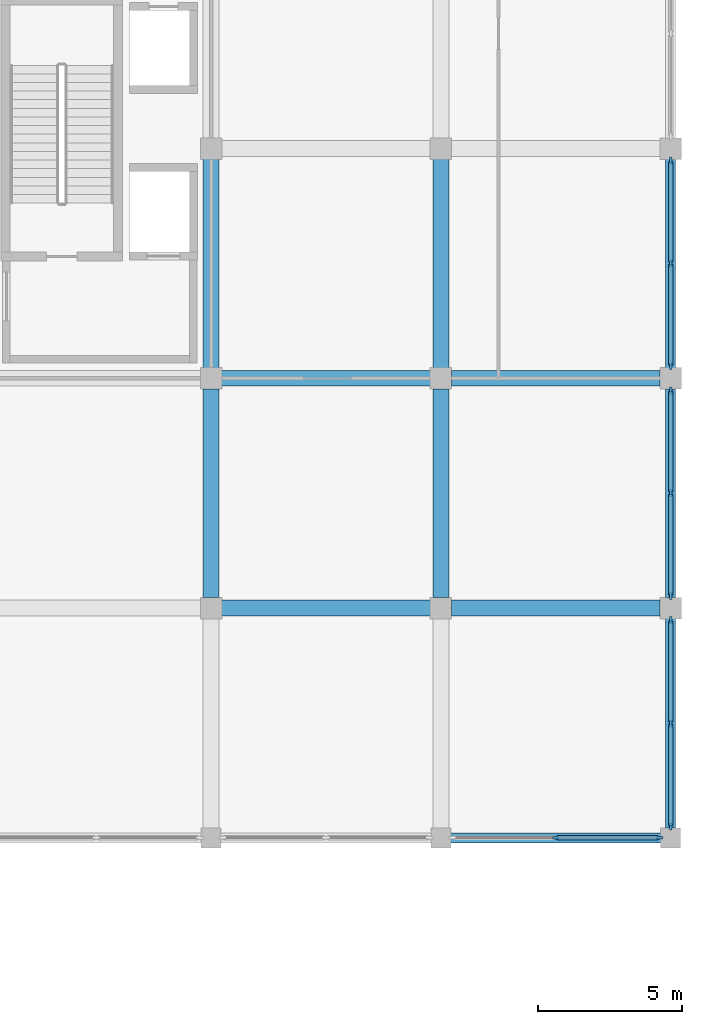
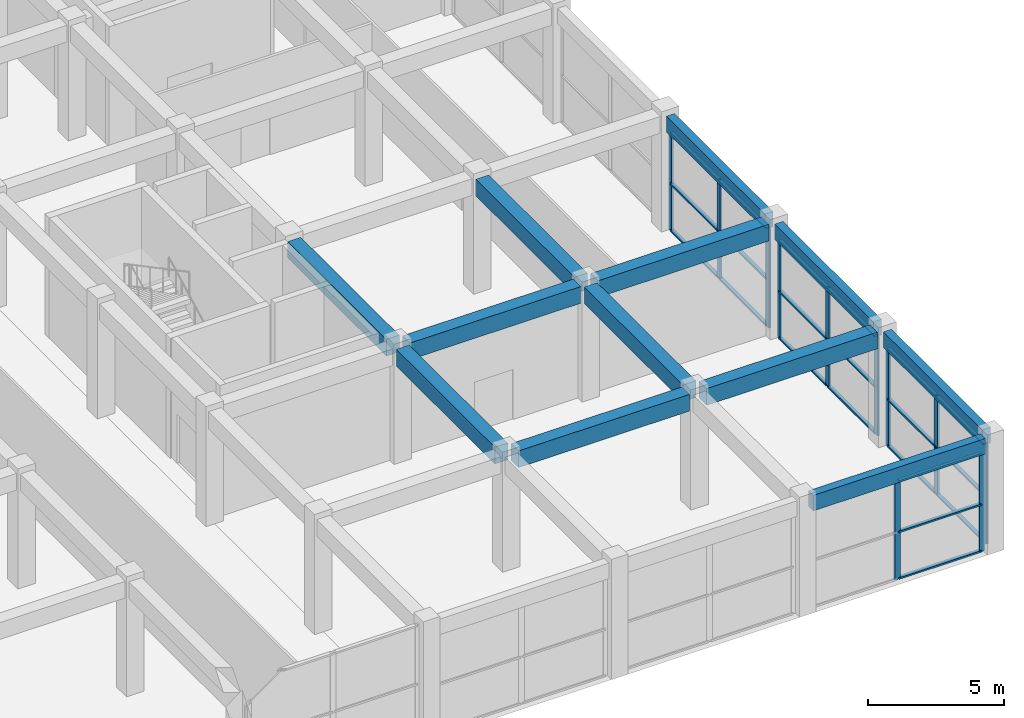
# One storey, part 34 of 69: 32 members, 12 beams, 4 elements without a shape of their own.
"""IFC4 building model written with IfcOpenShell, lengths in metres."""

from ifc_helpers import new_model, si_unit, direction, frame, origin, origin_2d, place, context, subcontext, project, spatial, rectangle, extrude, material, material_profile, profile_set, type_object, element, aggregate, save


model = new_model("IFC4")

# Units and contexts
model_context = context("Model", 3, precision=1e-05, world=origin(), true_north=direction((0.0, 1.0)))
body_context = subcontext(model_context, "Body", "Model", "MODEL_VIEW")
ifc_project = project(units=[si_unit("LENGTHUNIT", "METRE"), si_unit("AREAUNIT", "SQUARE_METRE"), si_unit("VOLUMEUNIT", "CUBIC_METRE"), si_unit("PLANEANGLEUNIT", "RADIAN"), si_unit("MASSUNIT", "GRAM", prefix="KILO")], contexts=[model_context])

# Site, building, storey
site_placement = place(None, origin())
site = spatial("IfcSite", under=ifc_project, at=site_placement, CompositionType="ELEMENT")
building_placement = place(site_placement, origin())
building = spatial("IfcBuilding", under=site, at=building_placement, Name="Kenh Van Central Station", CompositionType="ELEMENT")
storey_placement = place(building_placement, frame((0.0, 0.0, 5.39990234375)))
storey = spatial("IfcBuildingStorey", under=building, at=storey_placement, Name="L01", CompositionType="ELEMENT", Elevation=5.39990234375)

# Beams
ifc_material_1 = material(Name="Concrete C35/45", Category="concrete")
ifc_material_profile_1 = material_profile(ifc_material_1, rectangle(XDim=0.550048828125, YDim=0.75, at=origin_2d()), Name="RC 550x750")
ifc_profile_set_1 = profile_set([ifc_material_profile_1], Name="Concrete C35/45")
beam_type_1 = type_object("IfcBeamType", Name="BM-RC-550x750", PredefinedType="BEAM", material=ifc_profile_set_1)
for number, where, z_axis, x_axis, name in (
    (1, (160.364990234375, 16.0, 4.76513671875), (1.0, 0.0, 0.0), (0.0, 1.0, 0.0), "L01 beam 0654"),
    (2, (168.364990234375, 16.0, 4.76513671875), (1.0, 0.0, 0.0), (0.0, 1.0, 0.0), "L01 beam 0655"),
    (3, (160.364990234375, 24.0, 4.76513671875), (1.0, 0.0, 0.0), (0.0, 1.0, 0.0), "L01 beam 0669"),
    (4, (168.364990234375, 24.0, 4.76513671875), (1.0, 0.0, 0.0), (0.0, 1.0, 0.0), "L01 beam 0670"),
    (5, (160.0, 16.364990234375, 4.76513671875), (0.0, 1.0, 0.0), (-1.0, 0.0, 0.0), "L01 beam 0883"),
    (6, (160.0, 24.364990234375, 4.76513671875), (0.0, 1.0, 0.0), (-1.0, 0.0, 0.0), "L01 beam 0884"),
    (7, (168.0, 16.364990234375, 4.76513671875), (0.0, 1.0, 0.0), (-1.0, 0.0, 0.0), "L01 beam 0893"),
    (8, (168.0, 24.364990234375, 4.76513671875), (0.0, 1.0, 0.0), (-1.0, 0.0, 0.0), "L01 beam 0894"),
):
    element("IfcBeam", number, at=place(storey_placement, frame(where, z_axis=z_axis, x_axis=x_axis)), inside=storey, type_object=beam_type_1, Name=name, PredefinedType="BEAM", context=body_context, shape_type="SweptSolid", body=[
        extrude(rectangle(XDim=0.550048828125, YDim=0.75, at=origin_2d()), origin(), (0.0, 0.0, 1.0), 7.27001953125),
    ])

# Curtain wall, members
ifc_material_2 = material(Name="Champagne anodised aluminium", Category="aluminium")
curtain_wall_type = type_object("IfcCurtainWallType", Name="CW-OPER-A", PredefinedType="NOTDEFINED", material=ifc_material_2)
curtain_wall_1_placement = place(storey_placement, origin())
curtain_wall_1 = element("IfcCurtainWall", 9, at=curtain_wall_1_placement, inside=storey, type_object=curtain_wall_type, Name="L01 curtain wall 136", PredefinedType="NOTDEFINED")
ifc_material_profile_2 = material_profile(ifc_material_2, rectangle(XDim=0.087890625, YDim=0.239990234375, at=origin_2d()), Name="AL 88x240")
ifc_profile_set_2 = profile_set([ifc_material_profile_2], Name="Champagne anodised aluminium")
member_type_1 = type_object("IfcMemberType", Name="CWM-60x140", PredefinedType="MULLION", material=ifc_profile_set_2)
member_1_placement = place(storey_placement, frame((172.0, 8.0, 0.0), z_axis=(0.0, 0.0, 1.0), x_axis=(0.0, 1.0, 0.0)))
member_1 = element("IfcMember", 10, at=member_1_placement, type_object=member_type_1, Name="CW-07 mullion 2", PredefinedType="MULLION", context=body_context, shape_type="SweptSolid", body=[
    extrude(rectangle(XDim=0.087890625, YDim=0.239990234375, at=origin_2d()), origin(), (0.0, 0.0, 1.0), 4.440185546875),
])
member_2_placement = place(storey_placement, frame((175.60595703125, 8.0, 0.0), z_axis=(0.0, 0.0, 1.0), x_axis=(0.0, 1.0, 0.0)))
member_2 = element("IfcMember", 11, at=member_2_placement, type_object=member_type_1, Name="CW-07 mullion 3", PredefinedType="MULLION", context=body_context, shape_type="SweptSolid", body=[
    extrude(rectangle(XDim=0.087890625, YDim=0.239990234375, at=origin_2d()), origin(), (0.0, 0.0, 1.0), 4.440185546875),
])

curtain_wall_2_placement = place(storey_placement, origin())
curtain_wall_2 = element("IfcCurtainWall", 12, at=curtain_wall_2_placement, inside=storey, type_object=curtain_wall_type, Name="L01 curtain wall 137", PredefinedType="NOTDEFINED")
member_3_placement = place(storey_placement, frame((176.0, 8.39404296875, 0.0), z_axis=(0.0, 0.0, 1.0), x_axis=(-1.0, 0.0, 0.0)))
member_3 = element("IfcMember", 13, at=member_3_placement, type_object=member_type_1, Name="CW-07 mullion 1", PredefinedType="MULLION", context=body_context, shape_type="SweptSolid", body=[
    extrude(rectangle(XDim=0.087890625, YDim=0.239990234375, at=origin_2d()), origin(), (0.0, 0.0, 1.0), 4.440185546875),
])
member_4_placement = place(storey_placement, frame((176.0, 11.987548828125, 0.0), z_axis=(0.0, 0.0, 1.0), x_axis=(-1.0, 0.0, 0.0)))
member_4 = element("IfcMember", 14, at=member_4_placement, type_object=member_type_1, Name="CW-07 mullion 2", PredefinedType="MULLION", context=body_context, shape_type="SweptSolid", body=[
    extrude(rectangle(XDim=0.087890625, YDim=0.239990234375, at=origin_2d()), origin(), (0.0, 0.0, 1.0), 4.440185546875),
])
member_5_placement = place(storey_placement, frame((176.0, 15.5810546875, 0.0), z_axis=(0.0, 0.0, 1.0), x_axis=(-1.0, 0.0, 0.0)))
member_5 = element("IfcMember", 15, at=member_5_placement, type_object=member_type_1, Name="CW-07 mullion 3", PredefinedType="MULLION", context=body_context, shape_type="SweptSolid", body=[
    extrude(rectangle(XDim=0.087890625, YDim=0.239990234375, at=origin_2d()), origin(), (0.0, 0.0, 1.0), 4.440185546875),
])

curtain_wall_3_placement = place(storey_placement, origin())
curtain_wall_3 = element("IfcCurtainWall", 16, at=curtain_wall_3_placement, inside=storey, type_object=curtain_wall_type, Name="L01 curtain wall 138", PredefinedType="NOTDEFINED")
member_6_placement = place(storey_placement, frame((176.0, 16.4189453125, 0.0), z_axis=(0.0, 0.0, 1.0), x_axis=(-1.0, 0.0, 0.0)))
member_6 = element("IfcMember", 17, at=member_6_placement, type_object=member_type_1, Name="CW-07 mullion 1", PredefinedType="MULLION", context=body_context, shape_type="SweptSolid", body=[
    extrude(rectangle(XDim=0.087890625, YDim=0.239990234375, at=origin_2d()), origin(), (0.0, 0.0, 1.0), 4.440185546875),
])
member_7_placement = place(storey_placement, frame((176.0, 20.0, 0.0), z_axis=(0.0, 0.0, 1.0), x_axis=(-1.0, 0.0, 0.0)))
member_7 = element("IfcMember", 18, at=member_7_placement, type_object=member_type_1, Name="CW-07 mullion 2", PredefinedType="MULLION", context=body_context, shape_type="SweptSolid", body=[
    extrude(rectangle(XDim=0.087890625, YDim=0.239990234375, at=origin_2d()), origin(), (0.0, 0.0, 1.0), 4.440185546875),
])
member_8_placement = place(storey_placement, frame((176.0, 23.5810546875, 0.0), z_axis=(0.0, 0.0, 1.0), x_axis=(-1.0, 0.0, 0.0)))
member_8 = element("IfcMember", 19, at=member_8_placement, type_object=member_type_1, Name="CW-07 mullion 3", PredefinedType="MULLION", context=body_context, shape_type="SweptSolid", body=[
    extrude(rectangle(XDim=0.087890625, YDim=0.239990234375, at=origin_2d()), origin(), (0.0, 0.0, 1.0), 4.440185546875),
])

curtain_wall_4_placement = place(storey_placement, origin())
curtain_wall_4 = element("IfcCurtainWall", 20, at=curtain_wall_4_placement, inside=storey, type_object=curtain_wall_type, Name="L01 curtain wall 139", PredefinedType="NOTDEFINED")
member_9_placement = place(storey_placement, frame((176.0, 24.4189453125, 0.0), z_axis=(0.0, 0.0, 1.0), x_axis=(-1.0, 0.0, 0.0)))
member_9 = element("IfcMember", 21, at=member_9_placement, type_object=member_type_1, Name="CW-07 mullion 1", PredefinedType="MULLION", context=body_context, shape_type="SweptSolid", body=[
    extrude(rectangle(XDim=0.087890625, YDim=0.239990234375, at=origin_2d()), origin(), (0.0, 0.0, 1.0), 4.440185546875),
])
member_10_placement = place(storey_placement, frame((176.0, 28.0, 0.0), z_axis=(0.0, 0.0, 1.0), x_axis=(-1.0, 0.0, 0.0)))
member_10 = element("IfcMember", 22, at=member_10_placement, type_object=member_type_1, Name="CW-07 mullion 2", PredefinedType="MULLION", context=body_context, shape_type="SweptSolid", body=[
    extrude(rectangle(XDim=0.087890625, YDim=0.239990234375, at=origin_2d()), origin(), (0.0, 0.0, 1.0), 4.440185546875),
])
member_11_placement = place(storey_placement, frame((176.0, 31.5810546875, 0.0), z_axis=(0.0, 0.0, 1.0), x_axis=(-1.0, 0.0, 0.0)))
member_11 = element("IfcMember", 23, at=member_11_placement, type_object=member_type_1, Name="CW-07 mullion 3", PredefinedType="MULLION", context=body_context, shape_type="SweptSolid", body=[
    extrude(rectangle(XDim=0.087890625, YDim=0.239990234375, at=origin_2d()), origin(), (0.0, 0.0, 1.0), 4.440185546875),
])

# Member
ifc_material_profile_3 = material_profile(ifc_material_2, rectangle(XDim=0.155029296875, YDim=0.072021484375, at=origin_2d()), Name="AL 155x72")
ifc_profile_set_3 = profile_set([ifc_material_profile_3], Name="Champagne anodised aluminium")
member_type_2 = type_object("IfcMemberType", Name="CWT-120x60", PredefinedType="USERDEFINED", material=ifc_profile_set_3)
member_12_placement = place(storey_placement, frame((172.0439453125, 8.0, 0.0361328125), z_axis=(1.0, 0.0, 0.0), x_axis=(0.0, 1.0, 0.0)))
member_12 = element("IfcMember", 24, at=member_12_placement, type_object=member_type_2, Name="CW-07 transom 2.1", ObjectType="TRANSOM", PredefinedType="USERDEFINED", context=body_context, shape_type="SweptSolid", body=[
    extrude(rectangle(XDim=0.155029296875, YDim=0.072021484375, at=origin_2d()), origin(), (0.0, 0.0, 1.0), 3.51806640625),
])

member_13_placement = place(storey_placement, frame((172.0439453125, 8.0, 2.13134765625), z_axis=(1.0, 0.0, 0.0), x_axis=(0.0, 1.0, 0.0)))
member_13 = element("IfcMember", 25, at=member_13_placement, type_object=member_type_2, Name="CW-07 transom 2.2", ObjectType="TRANSOM", PredefinedType="USERDEFINED", context=body_context, shape_type="SweptSolid", body=[
    extrude(rectangle(XDim=0.155029296875, YDim=0.072021484375, at=origin_2d()), origin(), (0.0, 0.0, 1.0), 3.51806640625),
])

member_14_placement = place(storey_placement, frame((172.0439453125, 8.0, 4.404052734375), z_axis=(1.0, 0.0, 0.0), x_axis=(0.0, 1.0, 0.0)))
member_14 = element("IfcMember", 26, at=member_14_placement, type_object=member_type_2, Name="CW-07 transom 2.3", ObjectType="TRANSOM", PredefinedType="USERDEFINED", context=body_context, shape_type="SweptSolid", body=[
    extrude(rectangle(XDim=0.155029296875, YDim=0.072021484375, at=origin_2d()), origin(), (0.0, 0.0, 1.0), 3.51806640625),
])

aggregate(curtain_wall_1, [member_1, member_2, member_12, member_13, member_14])

member_15_placement = place(storey_placement, frame((176.0, 8.43798828125, 0.0361328125), z_axis=(0.0, 1.0, 0.0), x_axis=(-1.0, 0.0, 0.0)))
member_15 = element("IfcMember", 27, at=member_15_placement, type_object=member_type_2, Name="CW-07 transom 1.1", ObjectType="TRANSOM", PredefinedType="USERDEFINED", context=body_context, shape_type="SweptSolid", body=[
    extrude(rectangle(XDim=0.155029296875, YDim=0.072021484375, at=origin_2d()), origin(), (0.0, 0.0, 1.0), 3.505615234375),
])

member_16_placement = place(storey_placement, frame((176.0, 8.43798828125, 2.13134765625), z_axis=(0.0, 1.0, 0.0), x_axis=(-1.0, 0.0, 0.0)))
member_16 = element("IfcMember", 28, at=member_16_placement, type_object=member_type_2, Name="CW-07 transom 1.2", ObjectType="TRANSOM", PredefinedType="USERDEFINED", context=body_context, shape_type="SweptSolid", body=[
    extrude(rectangle(XDim=0.155029296875, YDim=0.072021484375, at=origin_2d()), origin(), (0.0, 0.0, 1.0), 3.505615234375),
])

member_17_placement = place(storey_placement, frame((176.0, 8.43798828125, 4.404052734375), z_axis=(0.0, 1.0, 0.0), x_axis=(-1.0, 0.0, 0.0)))
member_17 = element("IfcMember", 29, at=member_17_placement, type_object=member_type_2, Name="CW-07 transom 1.3", ObjectType="TRANSOM", PredefinedType="USERDEFINED", context=body_context, shape_type="SweptSolid", body=[
    extrude(rectangle(XDim=0.155029296875, YDim=0.072021484375, at=origin_2d()), origin(), (0.0, 0.0, 1.0), 3.505615234375),
])

member_18_placement = place(storey_placement, frame((176.0, 12.031494140625, 0.0361328125), z_axis=(0.0, 1.0, 0.0), x_axis=(-1.0, 0.0, 0.0)))
member_18 = element("IfcMember", 30, at=member_18_placement, type_object=member_type_2, Name="CW-07 transom 2.1", ObjectType="TRANSOM", PredefinedType="USERDEFINED", context=body_context, shape_type="SweptSolid", body=[
    extrude(rectangle(XDim=0.155029296875, YDim=0.072021484375, at=origin_2d()), origin(), (0.0, 0.0, 1.0), 3.505615234375),
])

member_19_placement = place(storey_placement, frame((176.0, 12.031494140625, 2.13134765625), z_axis=(0.0, 1.0, 0.0), x_axis=(-1.0, 0.0, 0.0)))
member_19 = element("IfcMember", 31, at=member_19_placement, type_object=member_type_2, Name="CW-07 transom 2.2", ObjectType="TRANSOM", PredefinedType="USERDEFINED", context=body_context, shape_type="SweptSolid", body=[
    extrude(rectangle(XDim=0.155029296875, YDim=0.072021484375, at=origin_2d()), origin(), (0.0, 0.0, 1.0), 3.505615234375),
])

member_20_placement = place(storey_placement, frame((176.0, 12.031494140625, 4.404052734375), z_axis=(0.0, 1.0, 0.0), x_axis=(-1.0, 0.0, 0.0)))
member_20 = element("IfcMember", 32, at=member_20_placement, type_object=member_type_2, Name="CW-07 transom 2.3", ObjectType="TRANSOM", PredefinedType="USERDEFINED", context=body_context, shape_type="SweptSolid", body=[
    extrude(rectangle(XDim=0.155029296875, YDim=0.072021484375, at=origin_2d()), origin(), (0.0, 0.0, 1.0), 3.505615234375),
])

aggregate(curtain_wall_2, [member_3, member_4, member_5, member_15, member_16, member_17, member_18, member_19, member_20])

member_21_placement = place(storey_placement, frame((176.0, 16.462890625, 0.0361328125), z_axis=(0.0, 1.0, 0.0), x_axis=(-1.0, 0.0, 0.0)))
member_21 = element("IfcMember", 33, at=member_21_placement, type_object=member_type_2, Name="CW-07 transom 1.1", ObjectType="TRANSOM", PredefinedType="USERDEFINED", context=body_context, shape_type="SweptSolid", body=[
    extrude(rectangle(XDim=0.155029296875, YDim=0.072021484375, at=origin_2d()), origin(), (0.0, 0.0, 1.0), 3.4931640625),
])

member_22_placement = place(storey_placement, frame((176.0, 16.462890625, 2.13134765625), z_axis=(0.0, 1.0, 0.0), x_axis=(-1.0, 0.0, 0.0)))
member_22 = element("IfcMember", 34, at=member_22_placement, type_object=member_type_2, Name="CW-07 transom 1.2", ObjectType="TRANSOM", PredefinedType="USERDEFINED", context=body_context, shape_type="SweptSolid", body=[
    extrude(rectangle(XDim=0.155029296875, YDim=0.072021484375, at=origin_2d()), origin(), (0.0, 0.0, 1.0), 3.4931640625),
])

member_23_placement = place(storey_placement, frame((176.0, 16.462890625, 4.404052734375), z_axis=(0.0, 1.0, 0.0), x_axis=(-1.0, 0.0, 0.0)))
member_23 = element("IfcMember", 35, at=member_23_placement, type_object=member_type_2, Name="CW-07 transom 1.3", ObjectType="TRANSOM", PredefinedType="USERDEFINED", context=body_context, shape_type="SweptSolid", body=[
    extrude(rectangle(XDim=0.155029296875, YDim=0.072021484375, at=origin_2d()), origin(), (0.0, 0.0, 1.0), 3.4931640625),
])

member_24_placement = place(storey_placement, frame((176.0, 20.0439453125, 0.0361328125), z_axis=(0.0, 1.0, 0.0), x_axis=(-1.0, 0.0, 0.0)))
member_24 = element("IfcMember", 36, at=member_24_placement, type_object=member_type_2, Name="CW-07 transom 2.1", ObjectType="TRANSOM", PredefinedType="USERDEFINED", context=body_context, shape_type="SweptSolid", body=[
    extrude(rectangle(XDim=0.155029296875, YDim=0.072021484375, at=origin_2d()), origin(), (0.0, 0.0, 1.0), 3.4931640625),
])

member_25_placement = place(storey_placement, frame((176.0, 20.0439453125, 2.13134765625), z_axis=(0.0, 1.0, 0.0), x_axis=(-1.0, 0.0, 0.0)))
member_25 = element("IfcMember", 37, at=member_25_placement, type_object=member_type_2, Name="CW-07 transom 2.2", ObjectType="TRANSOM", PredefinedType="USERDEFINED", context=body_context, shape_type="SweptSolid", body=[
    extrude(rectangle(XDim=0.155029296875, YDim=0.072021484375, at=origin_2d()), origin(), (0.0, 0.0, 1.0), 3.4931640625),
])

member_26_placement = place(storey_placement, frame((176.0, 20.0439453125, 4.404052734375), z_axis=(0.0, 1.0, 0.0), x_axis=(-1.0, 0.0, 0.0)))
member_26 = element("IfcMember", 38, at=member_26_placement, type_object=member_type_2, Name="CW-07 transom 2.3", ObjectType="TRANSOM", PredefinedType="USERDEFINED", context=body_context, shape_type="SweptSolid", body=[
    extrude(rectangle(XDim=0.155029296875, YDim=0.072021484375, at=origin_2d()), origin(), (0.0, 0.0, 1.0), 3.4931640625),
])

aggregate(curtain_wall_3, [member_6, member_7, member_8, member_21, member_22, member_23, member_24, member_25, member_26])

member_27_placement = place(storey_placement, frame((176.0, 24.462890625, 0.0361328125), z_axis=(0.0, 1.0, 0.0), x_axis=(-1.0, 0.0, 0.0)))
member_27 = element("IfcMember", 39, at=member_27_placement, type_object=member_type_2, Name="CW-07 transom 1.1", ObjectType="TRANSOM", PredefinedType="USERDEFINED", context=body_context, shape_type="SweptSolid", body=[
    extrude(rectangle(XDim=0.155029296875, YDim=0.072021484375, at=origin_2d()), origin(), (0.0, 0.0, 1.0), 3.4931640625),
])

member_28_placement = place(storey_placement, frame((176.0, 24.462890625, 2.13134765625), z_axis=(0.0, 1.0, 0.0), x_axis=(-1.0, 0.0, 0.0)))
member_28 = element("IfcMember", 40, at=member_28_placement, type_object=member_type_2, Name="CW-07 transom 1.2", ObjectType="TRANSOM", PredefinedType="USERDEFINED", context=body_context, shape_type="SweptSolid", body=[
    extrude(rectangle(XDim=0.155029296875, YDim=0.072021484375, at=origin_2d()), origin(), (0.0, 0.0, 1.0), 3.4931640625),
])

member_29_placement = place(storey_placement, frame((176.0, 24.462890625, 4.404052734375), z_axis=(0.0, 1.0, 0.0), x_axis=(-1.0, 0.0, 0.0)))
member_29 = element("IfcMember", 41, at=member_29_placement, type_object=member_type_2, Name="CW-07 transom 1.3", ObjectType="TRANSOM", PredefinedType="USERDEFINED", context=body_context, shape_type="SweptSolid", body=[
    extrude(rectangle(XDim=0.155029296875, YDim=0.072021484375, at=origin_2d()), origin(), (0.0, 0.0, 1.0), 3.4931640625),
])

member_30_placement = place(storey_placement, frame((176.0, 28.0439453125, 0.0361328125), z_axis=(0.0, 1.0, 0.0), x_axis=(-1.0, 0.0, 0.0)))
member_30 = element("IfcMember", 42, at=member_30_placement, type_object=member_type_2, Name="CW-07 transom 2.1", ObjectType="TRANSOM", PredefinedType="USERDEFINED", context=body_context, shape_type="SweptSolid", body=[
    extrude(rectangle(XDim=0.155029296875, YDim=0.072021484375, at=origin_2d()), origin(), (0.0, 0.0, 1.0), 3.4931640625),
])

member_31_placement = place(storey_placement, frame((176.0, 28.0439453125, 2.13134765625), z_axis=(0.0, 1.0, 0.0), x_axis=(-1.0, 0.0, 0.0)))
member_31 = element("IfcMember", 43, at=member_31_placement, type_object=member_type_2, Name="CW-07 transom 2.2", ObjectType="TRANSOM", PredefinedType="USERDEFINED", context=body_context, shape_type="SweptSolid", body=[
    extrude(rectangle(XDim=0.155029296875, YDim=0.072021484375, at=origin_2d()), origin(), (0.0, 0.0, 1.0), 3.4931640625),
])

member_32_placement = place(storey_placement, frame((176.0, 28.0439453125, 4.404052734375), z_axis=(0.0, 1.0, 0.0), x_axis=(-1.0, 0.0, 0.0)))
member_32 = element("IfcMember", 44, at=member_32_placement, type_object=member_type_2, Name="CW-07 transom 2.3", ObjectType="TRANSOM", PredefinedType="USERDEFINED", context=body_context, shape_type="SweptSolid", body=[
    extrude(rectangle(XDim=0.155029296875, YDim=0.072021484375, at=origin_2d()), origin(), (0.0, 0.0, 1.0), 3.4931640625),
])

aggregate(curtain_wall_4, [member_9, member_10, member_11, member_27, member_28, member_29, member_30, member_31, member_32])

# Beams
ifc_material_profile_4 = material_profile(ifc_material_1, rectangle(XDim=0.35009765625, YDim=0.699951171875, at=origin_2d()), Name="RC 350x700")
ifc_profile_set_4 = profile_set([ifc_material_profile_4], Name="Concrete C35/45")
beam_type_2 = type_object("IfcBeamType", Name="SPD-RC-350x700", PredefinedType="SPANDREL", material=ifc_profile_set_4)
beam_1_placement = place(storey_placement, frame((168.340087890625, 8.0, 4.7900390625), z_axis=(1.0, 0.0, 0.0), x_axis=(0.0, 1.0, 0.0)))
element("IfcBeam", 45, at=beam_1_placement, inside=storey, type_object=beam_type_2, Name="L01 beam 0636", PredefinedType="SPANDREL", context=body_context, shape_type="SweptSolid", body=[
    extrude(rectangle(XDim=0.35009765625, YDim=0.699951171875, at=origin_2d()), origin(), (0.0, 0.0, 1.0), 7.31982421875),
])
beam_2_placement = place(storey_placement, frame((176.0, 8.340087890625, 4.7900390625), z_axis=(0.0, 1.0, 0.0), x_axis=(-1.0, 0.0, 0.0)))
element("IfcBeam", 46, at=beam_2_placement, inside=storey, type_object=beam_type_2, Name="L01 beam 0903", PredefinedType="SPANDREL", context=body_context, shape_type="SweptSolid", body=[
    extrude(rectangle(XDim=0.35009765625, YDim=0.699951171875, at=origin_2d()), origin(), (0.0, 0.0, 1.0), 7.294921875),
])
for number, where, z_axis, x_axis, name in (
    (47, (176.0, 16.364990234375, 4.7900390625), (0.0, 1.0, 0.0), (-1.0, 0.0, 0.0), "L01 beam 0904"),
    (48, (176.0, 24.364990234375, 4.7900390625), (0.0, 1.0, 0.0), (-1.0, 0.0, 0.0), "L01 beam 0905"),
):
    element("IfcBeam", number, at=place(storey_placement, frame(where, z_axis=z_axis, x_axis=x_axis)), inside=storey, type_object=beam_type_2, Name=name, PredefinedType="SPANDREL", context=body_context, shape_type="SweptSolid", body=[
        extrude(rectangle(XDim=0.35009765625, YDim=0.699951171875, at=origin_2d()), origin(), (0.0, 0.0, 1.0), 7.27001953125),
    ])

save(model, "model.ifc")
